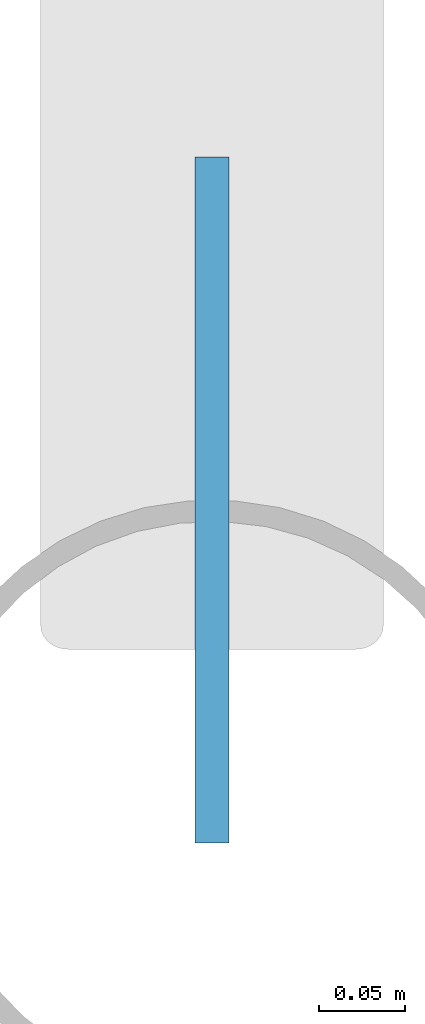
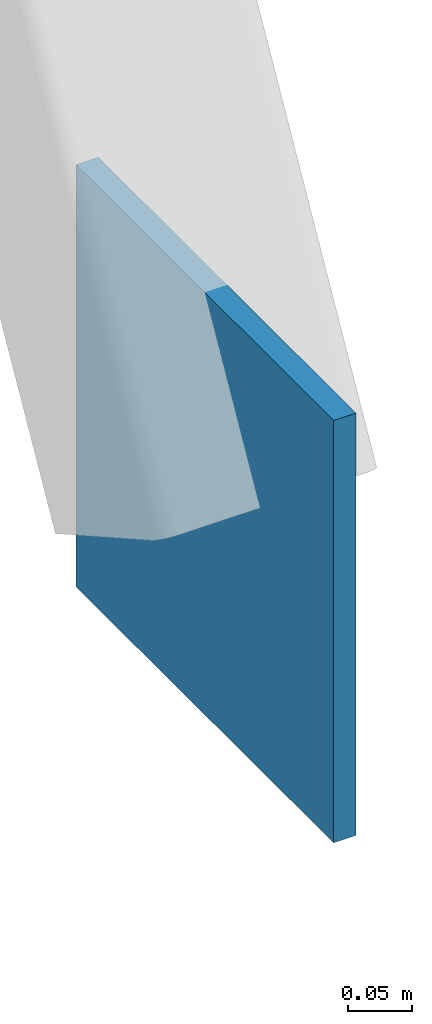
# One storey, part 142 of 170: 1 discrete accessory.
"""IFC4 building model written with IfcOpenShell, lengths in metres."""

import ifcopenshell
import ifcopenshell.guid

model = None  # the IFC model being written
_history = None  # IfcOwnerHistory: only IFC2X3 demands one
_inside = {}  # id of a spatial element -> (the spatial element, [elements in it])
_under = {}  # id of a project, library or spatial element -> (it, [spatial elements below it])
_declared = {}  # id of a project -> (the project, [libraries it declares])
_typed = {}  # id of a type object -> (the type object, [elements of that type])
_made_of = {}  # id of a material, layer set ... -> (it, [elements and type objects made of it])


def new_model(schema):
    """Start an empty IFC model of exactly this schema.

    Asked for "IFC4X3", IfcOpenShell would pick the latest addendum, in which some entities
    have other attributes; the version numbers below select the first issue.
    IFC2X3 requires an IfcOwnerHistory on every rooted entity: one is made here for all.
    """
    global model, _history
    if schema == "IFC4X3":
        model = ifcopenshell.file(schema_version=(4, 3, 0, 0))
    else:
        model = ifcopenshell.file(schema=schema)
    _inside.clear()
    _under.clear()
    _declared.clear()
    _typed.clear()
    _made_of.clear()
    _history = None
    if model.schema == "IFC2X3":
        org = make("IfcOrganization", Name="unknown")
        user = make(
            "IfcPersonAndOrganization",
            ThePerson=make("IfcPerson", FamilyName="unknown"),
            TheOrganization=org,
        )
        app = make(
            "IfcApplication",
            ApplicationDeveloper=org,
            Version="unknown",
            ApplicationFullName="unknown",
            ApplicationIdentifier="unknown",
        )
        _history = make(
            "IfcOwnerHistory",
            OwningUser=user,
            OwningApplication=app,
            ChangeAction="ADDED",
            CreationDate=0,
        )
    return model


def make(cls, **values):
    """One entity of the class cls with the attributes given. An attribute that is None is left unset."""
    return model.create_entity(
        cls, **{name: value for name, value in values.items() if value is not None}
    )


def rooted(cls, **values):
    """An entity with a GlobalId (a new one), such as an element, a storey or a relation."""
    return make(cls, GlobalId=ifcopenshell.guid.new(), OwnerHistory=_history, **values)


def si_unit(unit_type, name, prefix=None):
    """IfcSIUnit, for example si_unit("LENGTHUNIT", "METRE", prefix="MILLI")."""
    return make("IfcSIUnit", UnitType=unit_type, Prefix=prefix, Name=name)


def assignment(units):
    """IfcUnitAssignment: the units of a project."""
    return None if units is None else make("IfcUnitAssignment", Units=units)


def point(xyz):
    """IfcCartesianPoint."""
    return None if xyz is None else make("IfcCartesianPoint", Coordinates=xyz)


def direction(xyz):
    """IfcDirection."""
    return None if xyz is None else make("IfcDirection", DirectionRatios=xyz)


def frame(location, z_axis=None, x_axis=None):
    """IfcAxis2Placement3D, a coordinate frame: its origin and axes. An axis left out is left unset."""
    return make(
        "IfcAxis2Placement3D",
        Location=point(location),
        Axis=direction(z_axis),
        RefDirection=direction(x_axis),
    )


def frame_2d(location, x_axis=None):
    """IfcAxis2Placement2D, a coordinate frame in the plane: its origin and x axis."""
    return make(
        "IfcAxis2Placement2D", Location=point(location), RefDirection=direction(x_axis)
    )


def origin():
    """The frame at (0, 0, 0) with its axes left unset."""
    return frame((0.0, 0.0, 0.0))


def origin_2d():
    """The frame at (0, 0) in the plane with its x axis left unset."""
    return frame_2d((0.0, 0.0))


def place(relative_to, where):
    """IfcLocalPlacement: puts the frame where relative to a parent placement (None: the world)."""
    return make(
        "IfcLocalPlacement", PlacementRelTo=relative_to, RelativePlacement=where
    )


def context(
    kind, dimensions, precision=None, world=None, true_north=None, identifier=None
):
    """IfcGeometricRepresentationContext, for example the 3D "Model" context."""
    return make(
        "IfcGeometricRepresentationContext",
        ContextIdentifier=identifier,
        ContextType=kind,
        CoordinateSpaceDimension=dimensions,
        Precision=precision,
        WorldCoordinateSystem=world,
        TrueNorth=true_north,
    )


def subcontext(parent, identifier, kind, view, scale=None):
    """IfcGeometricRepresentationSubContext, for example "Body" below "Model"."""
    return make(
        "IfcGeometricRepresentationSubContext",
        ContextIdentifier=identifier,
        ContextType=kind,
        ParentContext=parent,
        TargetScale=scale,
        TargetView=view,
    )


def project(units=None, contexts=None):
    """IfcProject with its units and contexts."""
    return rooted(
        "IfcProject",
        Name="project",
        RepresentationContexts=contexts,
        UnitsInContext=assignment(units),
    )


def spatial(cls, under=None, at=None, **own):
    """A site, building, storey or space (cls), placed at a placement, below another one or the project."""
    s = rooted(cls, ObjectPlacement=at, **own)
    if under is not None:
        _under.setdefault(under.id(), (under, []))[1].append(s)
    return s


def profile(cls, at=None, kind="AREA", **sizes):
    """A parametric profile (cls). Its sizes go by their IFC names, for example OverallWidth=200.0."""
    return make(cls, ProfileType=kind, Position=at, **sizes)


def rectangle(**sizes):
    """IfcRectangleProfileDef."""
    return profile("IfcRectangleProfileDef", **sizes)


def extrude(swept, where, along, depth):
    """IfcExtrudedAreaSolid: the profile swept, set in the frame where, extruded along a direction by depth."""
    return make(
        "IfcExtrudedAreaSolid",
        SweptArea=swept,
        Position=where,
        ExtrudedDirection=direction(along),
        Depth=depth,
    )


def shape(context_of_items, identifier, shape_type, items):
    """IfcShapeRepresentation: the items that make up one representation, for example the "Body"."""
    return make(
        "IfcShapeRepresentation",
        ContextOfItems=context_of_items,
        RepresentationIdentifier=identifier,
        RepresentationType=shape_type,
        Items=items,
    )


def material(Name=None, Category=None):
    """IfcMaterial."""
    return make("IfcMaterial", Name=Name, Category=Category)


def material_profile(
    of_material, cross_section, Name=None, Category=None, Priority=None
):
    """IfcMaterialProfile: a cross section and its material."""
    return make(
        "IfcMaterialProfile",
        Name=Name,
        Material=of_material,
        Profile=cross_section,
        Priority=Priority,
        Category=Category,
    )


def profile_set(profiles, Name=None, composite=None):
    """IfcMaterialProfileSet."""
    return make(
        "IfcMaterialProfileSet",
        Name=Name,
        MaterialProfiles=profiles,
        CompositeProfile=composite,
    )


def made_of(thing, what):
    """Note that an element or type object is made of a material, layer set ...; save() writes the relation."""
    if what is not None:
        _made_of.setdefault(what.id(), (what, []))[1].append(thing)
    return thing


def type_object(cls, material=None, **own):
    """A type object (cls), such as IfcWallType, which elements share."""
    return made_of(rooted(cls, **own), material)


def element(
    cls,
    number,
    at=None,
    inside=None,
    cuts=None,
    type_object=None,
    material=None,
    context=None,
    identifier="Body",
    shape_type=None,
    held_by="IfcProductDefinitionShape",
    body=None,
    shapes=None,
    **own,
):
    """One element of the class cls, such as IfcWall. Its Tag is "e" and its number.

    at: its placement. inside: the storey or other place that contains it. cuts: it is an
    opening in that element (IfcRelVoidsElement). A single representation is given by context,
    identifier, shape_type and body (its items); several are given by shapes. held_by: the class
    of the entity that holds the representations. save() writes the other relations.
    """
    e = rooted(cls, Tag="e%d" % number, ObjectPlacement=at, **own)
    if body is not None:
        shapes = [shape(context, identifier, shape_type, body)]
    if shapes is not None:
        e.Representation = make(held_by, Representations=shapes)
    if inside is not None:
        _inside.setdefault(inside.id(), (inside, []))[1].append(e)
    if cuts is not None:
        rooted(
            "IfcRelVoidsElement", RelatingBuildingElement=cuts, RelatedOpeningElement=e
        )
    if type_object is not None:
        _typed.setdefault(type_object.id(), (type_object, []))[1].append(e)
    return made_of(e, material)


def aggregate(whole, parts):
    """IfcRelAggregates: a whole, such as a stair, and the parts it consists of."""
    return rooted("IfcRelAggregates", RelatingObject=whole, RelatedObjects=parts)


def save(model, path):
    """Write the relations noted so far, then the file.

    IfcRelAggregates (storeys below a building ...), IfcRelContainedInSpatialStructure (elements
    in a storey), IfcRelDefinesByType, IfcRelAssociatesMaterial and IfcRelDeclares: one each for
    every whole, place, type object, material and project.
    """
    for whole, parts in _under.values():
        aggregate(whole, parts)
    for where, things in _inside.values():
        rooted(
            "IfcRelContainedInSpatialStructure",
            RelatedElements=things,
            RelatingStructure=where,
        )
    for kind, things in _typed.values():
        rooted("IfcRelDefinesByType", RelatedObjects=things, RelatingType=kind)
    for what, things in _made_of.values():
        rooted("IfcRelAssociatesMaterial", RelatedObjects=things, RelatingMaterial=what)
    for by, libraries in _declared.values():
        rooted("IfcRelDeclares", RelatingContext=by, RelatedDefinitions=libraries)
    model.write(path)


model = new_model("IFC4")

# Units and contexts
model_context = context("Model", 3, precision=1e-05, world=origin(), true_north=direction((0.0, 1.0)))
body_context = subcontext(model_context, "Body", "Model", "MODEL_VIEW")
ifc_project = project(units=[si_unit("LENGTHUNIT", "METRE"), si_unit("AREAUNIT", "SQUARE_METRE"), si_unit("VOLUMEUNIT", "CUBIC_METRE"), si_unit("PLANEANGLEUNIT", "RADIAN"), si_unit("MASSUNIT", "GRAM", prefix="KILO")], contexts=[model_context])

# Site, building, storey
site_placement = place(None, origin())
site = spatial("IfcSite", under=ifc_project, at=site_placement, CompositionType="ELEMENT")
building_placement = place(site_placement, origin())
building = spatial("IfcBuilding", under=site, at=building_placement, Name="Ravi Spectrum Wholesale Market", CompositionType="ELEMENT")
storey_placement = place(building_placement, frame((0.0, 0.0, 5.39990234375)))
storey = spatial("IfcBuildingStorey", under=building, at=storey_placement, Name="L01", CompositionType="ELEMENT", Elevation=5.39990234375)

# Discrete accessory
ifc_material = material(Name="Steel S355", Category="steel")
ifc_material_profile = material_profile(ifc_material, rectangle(XDim=0.39990234375, YDim=0.02001953125, at=origin_2d()))
ifc_profile_set = profile_set([ifc_material_profile], Name="Steel S355")
discrete_accessory_type = type_object("IfcDiscreteAccessoryType", Name="Gusset plate 400x400x20", PredefinedType="BRACKET", material=ifc_profile_set)
discrete_accessory_placement = place(storey_placement, frame((162.0, 138.177734375, -5.550537109375), z_axis=(0.0, 0.0, 1.0), x_axis=(0.0, 1.0, 0.0)))
element("IfcDiscreteAccessory", 1, at=discrete_accessory_placement, inside=storey, type_object=discrete_accessory_type, Name="Gusset plate", PredefinedType="BRACKET", context=body_context, shape_type="SweptSolid", body=[
    extrude(rectangle(XDim=0.39990234375, YDim=0.02001953125, at=origin_2d()), origin(), (0.0, 0.0, 1.0), 0.400146484375),
])

save(model, "model.ifc")
